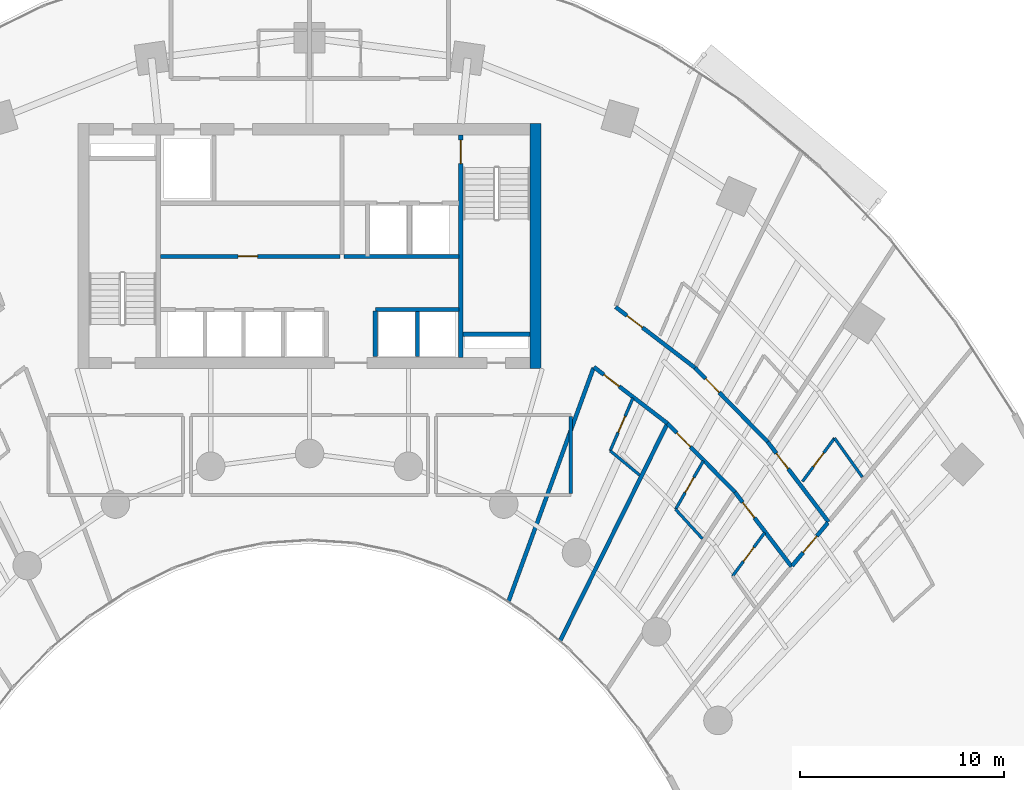
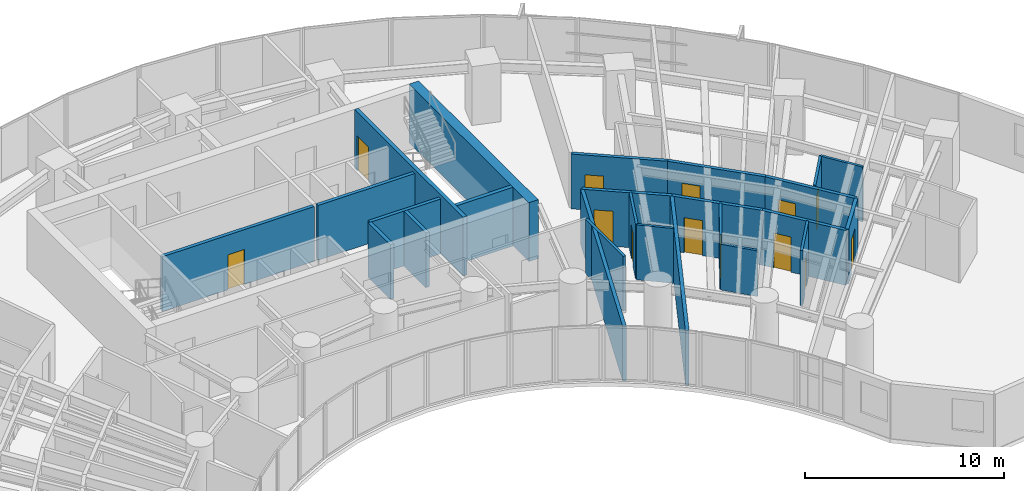
# One storey, part 13 of 18: 25 walls, 13 doors, 13 openings.
"""IFC4 building model written with IfcOpenShell, lengths in metres."""

from ifc_helpers import new_model, si_unit, direction, frame, frame_2d, origin, place, context, subcontext, project, spatial, rectangle, extrude, source, transform, mapped, material, layer, layer_set, type_object, type_shapes, element, fill, save


model = new_model("IFC4")

# Units and contexts
model_context = context("Model", 3, precision=1e-05, world=origin(), true_north=direction((0.0, 1.0)))
body_context = subcontext(model_context, "Body", "Model", "MODEL_VIEW")
ifc_project = project(units=[si_unit("LENGTHUNIT", "METRE"), si_unit("AREAUNIT", "SQUARE_METRE"), si_unit("VOLUMEUNIT", "CUBIC_METRE"), si_unit("PLANEANGLEUNIT", "RADIAN"), si_unit("MASSUNIT", "GRAM", prefix="KILO")], contexts=[model_context])

# Site, building, storey
site_placement = place(None, origin())
site = spatial("IfcSite", under=ifc_project, at=site_placement, CompositionType="ELEMENT")
building_placement = place(site_placement, origin())
building = spatial("IfcBuilding", under=site, at=building_placement, Name="Breltana Convention Tower", CompositionType="ELEMENT")
storey_placement = place(building_placement, frame((0.0, 0.0, 39.0)))
storey = spatial("IfcBuildingStorey", under=building, at=storey_placement, Name="L07", CompositionType="ELEMENT", Elevation=39.0)

# Walls
ifc_material_1 = material(Name="Concrete C60/75", Category="concrete")
ifc_layer_1 = layer(ifc_material_1, 0.550048828125, Name="Concrete C60/75")
ifc_layer_set_1 = layer_set([ifc_layer_1], Name="Concrete C60/75")
wall_type_1 = type_object("IfcWallType", Name="SW-CORE-550", PredefinedType="SHEAR", material=ifc_layer_set_1)
shared_shape_1 = source(origin(), body_context, "Body", "SweptSolid", [
    extrude(rectangle(XDim=12.0, YDim=0.550048828125, at=frame_2d((6.0, 0.0))), origin(), (0.0, 0.0, 1.0), 3.60009765625),
])
wall_1_placement = place(storey_placement, frame((59.074951171875, 60.199951171875, 0.0), z_axis=(0.0, 0.0, 1.0), x_axis=(0.0, 1.0, 0.0)))
element("IfcWall", 1, at=wall_1_placement, inside=storey, type_object=wall_type_1, Name="L07 East Core Shear Wall", PredefinedType="SHEAR", context=body_context, shape_type="MappedRepresentation", body=[
    mapped(shared_shape_1, transform((0.0, 0.0, 0.0), scale=1.0)),
])
ifc_material_2 = material(Name="Concrete C50/60", Category="concrete")
ifc_layer_2 = layer(ifc_material_2, 0.39990234375, Name="Concrete C50/60")
ifc_layer_set_2 = layer_set([ifc_layer_2], Name="Concrete C50/60")
wall_type_2 = type_object("IfcWallType", Name="SW-CORE-400", PredefinedType="SHEAR", material=ifc_layer_set_2)
shared_shape_2 = source(origin(), body_context, "Body", "SweptSolid", [
    extrude(rectangle(XDim=3.27001953125, YDim=0.219970703125, at=frame_2d((1.635009765625, 0.0))), origin(), (0.0, 0.0, 1.0), 3.60009765625),
])
wall_2_placement = place(storey_placement, frame((55.530029296875, 61.889892578125, 0.0), z_axis=(0.0, 0.0, 1.0), x_axis=(1.0, 0.0, 0.0)))
element("IfcWall", 2, at=wall_2_placement, inside=storey, type_object=wall_type_2, Name="L07 ST-2 Stairwell South Bearing Wall", PredefinedType="SHEAR", context=body_context, shape_type="MappedRepresentation", body=[
    mapped(shared_shape_2, transform((0.0, 0.0, 0.0), scale=1.0)),
])

# Wall, opening, door
shared_shape_3 = source(origin(), body_context, "Body", "SweptSolid", [
    extrude(rectangle(XDim=10.89990234375, YDim=0.219970703125, at=frame_2d((5.449951171875, 0.0))), origin(), (0.0, 0.0, 1.0), 3.60009765625),
])
wall_3_placement = place(storey_placement, frame((55.419921875, 60.75, 0.0), z_axis=(0.0, 0.0, 1.0), x_axis=(0.0, 1.0, 0.0)))
wall_3 = element("IfcWall", 3, at=wall_3_placement, inside=storey, type_object=wall_type_2, Name="L07 Core East Stair Spine Wall", PredefinedType="SHEAR", context=body_context, shape_type="MappedRepresentation", body=[
    mapped(shared_shape_3, transform((0.0, 0.0, 0.0), scale=1.0)),
])
opening_1_placement = place(wall_3_placement, frame((9.4951171875, 0.0, 0.0)))
opening_1 = element("IfcOpeningElement", 4, at=opening_1_placement, cuts=wall_3, Name="Opening D-11", PredefinedType="OPENING", context=body_context, shape_type="SweptSolid", body=[
    extrude(rectangle(XDim=1.14990234375, YDim=2.14990234375, at=frame_2d((0.574951171875, 1.074951171875))), frame((0.0, 0.1201171875, 0.0), z_axis=(0.0, -1.0, 0.0), x_axis=(1.0, 0.0, 0.0)), (0.0, 0.0, 1.0), 0.239990234375),
])
ifc_material_3 = material(Name="Steel Stair Exit Door", Category="steel")
door_type_1 = type_object("IfcDoorType", Name="DR-FD120-1150", OperationType="NOTDEFINED", PredefinedType="DOOR", material=ifc_material_3)
shared_shape_4 = source(origin(), body_context, "Body", "SweptSolid", [
    extrude(rectangle(XDim=1.14990234375, YDim=2.14990234375, at=frame_2d((0.574951171875, 1.074951171875))), frame((0.0, 0.02490234375, 0.0), z_axis=(0.0, -1.0, 0.0), x_axis=(1.0, 0.0, 0.0)), (0.0, 0.0, 1.0), 0.050048828125),
])
type_shapes(door_type_1, [shared_shape_4])
door_1_placement = place(opening_1_placement, origin())
door_1 = element("IfcDoor", 5, at=door_1_placement, inside=storey, type_object=door_type_1, Name="L07 interior door D-L07-ST2", OperationType="SINGLE_SWING_LEFT", OverallHeight=2.14990234375, OverallWidth=1.14990234375, PredefinedType="DOOR", context=body_context, shape_type="MappedRepresentation", body=[
    mapped(shared_shape_4, transform((0.0, 0.0, 0.0), scale=1.0)),
])
fill(opening_1, door_1)

# Walls
ifc_material_4 = material(Name="Autoclaved Aerated Concrete Block", Category="concrete")
ifc_layer_3 = layer(ifc_material_4, 0.199951171875, Name="Autoclaved Aerated Concrete Block")
ifc_layer_set_3 = layer_set([ifc_layer_3], Name="Autoclaved Aerated Concrete Block")
wall_type_3 = type_object("IfcWallType", Name="WL-SHAFT-200", PredefinedType="SOLIDWALL", material=ifc_layer_set_3)
shared_shape_5 = source(origin(), body_context, "Body", "SweptSolid", [
    extrude(rectangle(XDim=2.239990234375, YDim=0.199951171875, at=frame_2d((1.1201171875, 0.0))), origin(), (0.0, 0.0, 1.0), 3.360107421875),
])
wall_4_placement = place(storey_placement, frame((51.219970703125, 60.780029296875, 0.0), z_axis=(0.0, 0.0, 1.0), x_axis=(0.0, 1.0, 0.0)))
element("IfcWall", 6, at=wall_4_placement, inside=storey, type_object=wall_type_3, Name="L07 interior partition W-L07-PORT-E", PredefinedType="SOLIDWALL", context=body_context, shape_type="MappedRepresentation", body=[
    mapped(shared_shape_5, transform((0.0, 0.0, 0.0), scale=1.0)),
])
shared_shape_6 = source(origin(), body_context, "Body", "SweptSolid", [
    extrude(rectangle(XDim=5.6201171875, YDim=0.199951171875, at=frame_2d((2.81005859375, 0.0))), origin(), (0.0, 0.0, 1.0), 3.360107421875),
])
wall_5_placement = place(storey_placement, frame((49.699951171875, 65.679931640625, 0.0), z_axis=(0.0, 0.0, 1.0), x_axis=(1.0, 0.0, 0.0)))
element("IfcWall", 7, at=wall_5_placement, inside=storey, type_object=wall_type_3, Name="L07 interior partition W-L07-FL-S", PredefinedType="SOLIDWALL", context=body_context, shape_type="MappedRepresentation", body=[
    mapped(shared_shape_6, transform((0.0, 0.0, 0.0), scale=1.0)),
])

# Wall, opening, door
shared_shape_7 = source(origin(), body_context, "Body", "SweptSolid", [
    extrude(rectangle(XDim=8.800048828125, YDim=0.199951171875, at=frame_2d((4.39990234375, 0.0))), origin(), (0.0, 0.0, 1.0), 3.360107421875),
])
wall_6_placement = place(storey_placement, frame((40.699951171875, 65.699951171875, 0.0), z_axis=(0.0, 0.0, 1.0), x_axis=(1.0, 0.0, 0.0)))
wall_6 = element("IfcWall", 8, at=wall_6_placement, inside=storey, type_object=wall_type_3, Name="L07 interior partition W-L07-SH-M-FRONT", PredefinedType="SOLIDWALL", context=body_context, shape_type="MappedRepresentation", body=[
    mapped(shared_shape_7, transform((0.0, 0.0, 0.0), scale=1.0)),
])
opening_2_placement = place(wall_6_placement, frame((3.800048828125, 0.0, 0.0)))
opening_2 = element("IfcOpeningElement", 9, at=opening_2_placement, cuts=wall_6, Name="Opening D-14", PredefinedType="OPENING", context=body_context, shape_type="SweptSolid", body=[
    extrude(rectangle(XDim=0.949951171875, YDim=2.14990234375, at=frame_2d((0.47509765625, 1.074951171875))), frame((0.0, 0.10986328125, 0.0), z_axis=(0.0, -1.0, 0.0), x_axis=(1.0, 0.0, 0.0)), (0.0, 0.0, 1.0), 0.219970703125),
])
ifc_material_5 = material(Name="Timber Solid-Core Fire Door", Category="wood")
door_type_2 = type_object("IfcDoorType", Name="DR-FD60-950", OperationType="NOTDEFINED", PredefinedType="DOOR", material=ifc_material_5)
shared_shape_8 = source(origin(), body_context, "Body", "SweptSolid", [
    extrude(rectangle(XDim=0.949951171875, YDim=2.14990234375, at=frame_2d((0.47509765625, 1.074951171875))), frame((0.0, 0.02490234375, 0.0), z_axis=(0.0, -1.0, 0.0), x_axis=(1.0, 0.0, 0.0)), (0.0, 0.0, 1.0), 0.050048828125),
])
type_shapes(door_type_2, [shared_shape_8])
door_2_placement = place(opening_2_placement, origin())
door_2 = element("IfcDoor", 10, at=door_2_placement, inside=storey, type_object=door_type_2, Name="L07 interior door D-L07-LV7-B2A", OperationType="SINGLE_SWING_RIGHT", OverallHeight=2.14990234375, OverallWidth=0.949951171875, PredefinedType="DOOR", context=body_context, shape_type="MappedRepresentation", body=[
    mapped(shared_shape_8, transform((0.0, 0.0, 0.0), scale=1.0)),
])
fill(opening_2, door_2)

# Walls
shared_shape_9 = source(origin(), body_context, "Body", "SweptSolid", [
    extrude(rectangle(XDim=4.10009765625, YDim=0.199951171875, at=frame_2d((2.050048828125, 0.0))), origin(), (0.0, 0.0, 1.0), 3.360107421875),
])
wall_7_placement = place(storey_placement, frame((51.219970703125, 63.10009765625, 0.0), z_axis=(0.0, 0.0, 1.0), x_axis=(1.0, 0.0, 0.0)))
element("IfcWall", 11, at=wall_7_placement, inside=storey, type_object=wall_type_3, Name="L07 interior partition W-L07-SH-X-FRONT", PredefinedType="SOLIDWALL", context=body_context, shape_type="MappedRepresentation", body=[
    mapped(shared_shape_9, transform((0.0, 0.0, 0.0), scale=1.0)),
])
shared_shape_10 = source(origin(), body_context, "Body", "SweptSolid", [
    extrude(rectangle(XDim=2.199951171875, YDim=0.199951171875, at=frame_2d((1.10009765625, 0.0))), origin(), (0.0, 0.0, 1.0), 3.360107421875),
])
wall_8_placement = place(storey_placement, frame((53.280029296875, 60.800048828125, 0.0), z_axis=(0.0, 0.0, 1.0), x_axis=(0.0, 1.0, 0.0)))
element("IfcWall", 12, at=wall_8_placement, inside=storey, type_object=wall_type_3, Name="L07 interior partition W-L07-SH-X-DIV", PredefinedType="SOLIDWALL", context=body_context, shape_type="MappedRepresentation", body=[
    mapped(shared_shape_10, transform((0.0, 0.0, 0.0), scale=1.0)),
])
ifc_material_6 = material(Name="Gypsum Acoustic Drywall Partition")
ifc_layer_4 = layer(ifc_material_6, 0.14990234375, Name="Gypsum Acoustic Drywall Partition")
ifc_layer_set_4 = layer_set([ifc_layer_4], Name="Gypsum Acoustic Drywall Partition")
wall_type_4 = type_object("IfcWallType", Name="WL-PART-150", PredefinedType="PARTITIONING", material=ifc_layer_set_4)
shared_shape_11 = source(origin(), body_context, "Body", "SweptSolid", [
    extrude(rectangle(XDim=3.78515625, YDim=0.14990234375, at=frame_2d((1.892578125, 0.0))), origin(), (0.0, 0.0, 1.0), 3.360107421875),
])
wall_9_placement = place(storey_placement, frame((60.800048828125, 54.0673828125, 0.0), z_axis=(0.0, 0.0, 1.0), x_axis=(0.0, 1.0, 0.0)))
element("IfcWall", 13, at=wall_9_placement, inside=storey, type_object=wall_type_4, Name="L07 interior partition W-L07-HMT-E", PredefinedType="PARTITIONING", context=body_context, shape_type="MappedRepresentation", body=[
    mapped(shared_shape_11, transform((0.0, 0.0, 0.0), scale=1.0)),
])

# Wall, opening, door
ifc_material_7 = material(Name="Gypsum Acoustic Hotel Wall")
ifc_layer_5 = layer(ifc_material_7, 0.195068359375, Name="Gypsum Acoustic Hotel Wall")
ifc_layer_set_5 = layer_set([ifc_layer_5], Name="Gypsum Acoustic Hotel Wall")
wall_type_5 = type_object("IfcWallType", Name="WL-HOTEL-200", PredefinedType="PARTITIONING", material=ifc_layer_set_5)
shared_shape_12 = source(origin(), body_context, "Body", "SweptSolid", [
    extrude(rectangle(XDim=4.927734375, YDim=0.195068359375, at=frame_2d((2.4638671875, 0.0))), origin(), (0.0, 0.0, 1.0), 3.360107421875),
])
wall_10_placement = place(storey_placement, frame((70.4501953125, 56.607177734375, 0.0), z_axis=(0.0, 0.0, 1.0), x_axis=(0.604793043708, -0.796382680803, 0.0)))
wall_10 = element("IfcWall", 14, at=wall_10_placement, inside=storey, type_object=wall_type_5, Name="L07 interior partition W-L07-HK11-COR", PredefinedType="PARTITIONING", context=body_context, shape_type="MappedRepresentation", body=[
    mapped(shared_shape_12, transform((0.0, 0.0, 0.0), scale=1.0)),
])
opening_3_placement = place(wall_10_placement, frame((0.70751953125, 0.0, 0.0)))
opening_3 = element("IfcOpeningElement", 15, at=opening_3_placement, cuts=wall_10, Name="Opening D-14", PredefinedType="OPENING", context=body_context, shape_type="SweptSolid", body=[
    extrude(rectangle(XDim=0.949951171875, YDim=2.14990234375, at=frame_2d((0.47509765625, 1.074951171875))), frame((0.0, 0.107421875, 0.0), z_axis=(0.0, -1.0, 0.0), x_axis=(1.0, 0.0, 0.0)), (0.0, 0.0, 1.0), 0.215087890625),
])
door_3_placement = place(opening_3_placement, origin())
door_3 = element("IfcDoor", 16, at=door_3_placement, inside=storey, type_object=door_type_2, Name="L07 interior door D-L07-HK11", OperationType="SINGLE_SWING_RIGHT", OverallHeight=2.14990234375, OverallWidth=0.949951171875, PredefinedType="DOOR", context=body_context, shape_type="MappedRepresentation", body=[
    mapped(shared_shape_8, transform((0.0, 0.0, 0.0), scale=1.0)),
])
fill(opening_3, door_3)

# Wall
ifc_material_8 = material(Name="Moisture-Resistant En-Suite Partition")
ifc_layer_6 = layer(ifc_material_8, 0.139892578125, Name="Moisture-Resistant En-Suite Partition")
ifc_layer_set_6 = layer_set([ifc_layer_6], Name="Moisture-Resistant En-Suite Partition")
wall_type_6 = type_object("IfcWallType", Name="WL-WET-150", PredefinedType="PARTITIONING", material=ifc_layer_set_6)
shared_shape_13 = source(origin(), body_context, "Body", "SweptSolid", [
    extrude(rectangle(XDim=2.33740234375, YDim=0.139892578125, at=frame_2d((1.168701171875, 0.0))), origin(), (0.0, 0.0, 1.0), 3.360107421875),
])
wall_11_placement = place(storey_placement, frame((73.727294921875, 56.788818359375, 0.0), z_axis=(0.0, 0.0, 1.0), x_axis=(0.580862665959, -0.814001574504, 0.0)))
element("IfcWall", 17, at=wall_11_placement, inside=storey, type_object=wall_type_6, Name="L07 interior partition W-L07-HK11E-BK", PredefinedType="PARTITIONING", context=body_context, shape_type="MappedRepresentation", body=[
    mapped(shared_shape_13, transform((0.0, 0.0, 0.0), scale=1.0)),
])

# Wall, opening, door
shared_shape_14 = source(origin(), body_context, "Body", "SweptSolid", [
    extrude(rectangle(XDim=2.639892578125, YDim=0.139892578125, at=frame_2d((1.31982421875, 0.0))), origin(), (0.0, 0.0, 1.0), 3.360107421875),
])
wall_12_placement = place(storey_placement, frame((72.157470703125, 54.666259765625, 0.0), z_axis=(0.0, 0.0, 1.0), x_axis=(0.594630255283, 0.803999290735, 0.0)))
wall_12 = element("IfcWall", 18, at=wall_12_placement, inside=storey, type_object=wall_type_6, Name="L07 interior partition W-L07-HK11E-SD", PredefinedType="PARTITIONING", context=body_context, shape_type="MappedRepresentation", body=[
    mapped(shared_shape_14, transform((0.0, 0.0, 0.0), scale=1.0)),
])
opening_4_placement = place(wall_12_placement, frame((0.89501953125, 0.0, 0.0)))
opening_4 = element("IfcOpeningElement", 19, at=opening_4_placement, cuts=wall_12, Name="Opening D-21", PredefinedType="OPENING", context=body_context, shape_type="SweptSolid", body=[
    extrude(rectangle(XDim=0.85009765625, YDim=2.050048828125, at=frame_2d((0.425048828125, 1.02490234375))), frame((0.0, 0.080078125, 0.0), z_axis=(0.0, -1.0, 0.0), x_axis=(1.0, 0.0, 0.0)), (0.0, 0.0, 1.0), 0.159912109375),
])
ifc_material_9 = material(Name="Timber Moisture-Resistant En-Suite Door", Category="wood")
door_type_3 = type_object("IfcDoorType", Name="DR-WET-850", OperationType="NOTDEFINED", PredefinedType="DOOR", material=ifc_material_9)
shared_shape_15 = source(origin(), body_context, "Body", "SweptSolid", [
    extrude(rectangle(XDim=0.85009765625, YDim=2.050048828125, at=frame_2d((0.425048828125, 1.02490234375))), frame((0.0, 0.02490234375, 0.0), z_axis=(0.0, -1.0, 0.0), x_axis=(1.0, 0.0, 0.0)), (0.0, 0.0, 1.0), 0.050048828125),
])
type_shapes(door_type_3, [shared_shape_15])
door_4_placement = place(opening_4_placement, origin())
door_4 = element("IfcDoor", 20, at=door_4_placement, inside=storey, type_object=door_type_3, Name="L07 interior door D-L07-HK11E", OperationType="SINGLE_SWING_LEFT", OverallHeight=2.050048828125, OverallWidth=0.85009765625, PredefinedType="DOOR", context=body_context, shape_type="MappedRepresentation", body=[
    mapped(shared_shape_15, transform((0.0, 0.0, 0.0), scale=1.0)),
])
fill(opening_4, door_4)

wall_13_placement = place(storey_placement, frame((68.7294921875, 50.031005859375, 0.0), z_axis=(0.0, 0.0, 1.0), x_axis=(0.594674469522, 0.803966588422, 0.0)))
wall_13 = element("IfcWall", 21, at=wall_13_placement, inside=storey, type_object=wall_type_6, Name="L07 interior partition W-L07-HK12E-SD", PredefinedType="PARTITIONING", context=body_context, shape_type="MappedRepresentation", body=[
    mapped(shared_shape_14, transform((0.0, 0.0, 0.0), scale=1.0)),
])
opening_5_placement = place(wall_13_placement, frame((0.89501953125, 0.0, 0.0)))
opening_5 = element("IfcOpeningElement", 22, at=opening_5_placement, cuts=wall_13, Name="Opening D-21", PredefinedType="OPENING", context=body_context, shape_type="SweptSolid", body=[
    extrude(rectangle(XDim=0.85009765625, YDim=2.050048828125, at=frame_2d((0.425048828125, 1.02490234375))), frame((0.0, 0.080078125, 0.0), z_axis=(0.0, -1.0, 0.0), x_axis=(1.0, 0.0, 0.0)), (0.0, 0.0, 1.0), 0.159912109375),
])
door_5_placement = place(opening_5_placement, origin())
door_5 = element("IfcDoor", 23, at=door_5_placement, inside=storey, type_object=door_type_3, Name="L07 interior door D-L07-HK12E", OperationType="SINGLE_SWING_LEFT", OverallHeight=2.050048828125, OverallWidth=0.85009765625, PredefinedType="DOOR", context=body_context, shape_type="MappedRepresentation", body=[
    mapped(shared_shape_15, transform((0.0, 0.0, 0.0), scale=1.0)),
])
fill(opening_5, door_5)

shared_shape_16 = source(origin(), body_context, "Body", "SweptSolid", [
    extrude(rectangle(XDim=4.576171875, YDim=0.195068359375, at=frame_2d((2.2880859375, 0.0))), origin(), (0.0, 0.0, 1.0), 3.360107421875),
])
wall_14_placement = place(storey_placement, frame((68.849609375, 54.139404296875, 0.0), z_axis=(0.0, 0.0, 1.0), x_axis=(0.604795096156, -0.796381122118, 0.0)))
wall_14 = element("IfcWall", 24, at=wall_14_placement, inside=storey, type_object=wall_type_5, Name="L07 interior partition W-L07-HK12-COR", PredefinedType="PARTITIONING", context=body_context, shape_type="MappedRepresentation", body=[
    mapped(shared_shape_16, transform((0.0, 0.0, 0.0), scale=1.0)),
])
opening_6_placement = place(wall_14_placement, frame((0.623291015625, 0.0, 0.0)))
opening_6 = element("IfcOpeningElement", 25, at=opening_6_placement, cuts=wall_14, Name="Opening D-14", PredefinedType="OPENING", context=body_context, shape_type="SweptSolid", body=[
    extrude(rectangle(XDim=0.949951171875, YDim=2.14990234375, at=frame_2d((0.47509765625, 1.074951171875))), frame((0.0, 0.107421875, 0.0), z_axis=(0.0, -1.0, 0.0), x_axis=(1.0, 0.0, 0.0)), (0.0, 0.0, 1.0), 0.215087890625),
])
door_6_placement = place(opening_6_placement, origin())
door_6 = element("IfcDoor", 26, at=door_6_placement, inside=storey, type_object=door_type_2, Name="L07 interior door D-L07-HK12", OperationType="SINGLE_SWING_RIGHT", OverallHeight=2.14990234375, OverallWidth=0.949951171875, PredefinedType="DOOR", context=body_context, shape_type="MappedRepresentation", body=[
    mapped(shared_shape_8, transform((0.0, 0.0, 0.0), scale=1.0)),
])
fill(opening_6, door_6)

shared_shape_17 = source(origin(), body_context, "Body", "SweptSolid", [
    extrude(rectangle(XDim=5.0869140625, YDim=0.195068359375, at=frame_2d((2.54345703125, 0.0))), origin(), (0.0, 0.0, 1.0), 3.360107421875),
])
wall_15_placement = place(storey_placement, frame((66.88720703125, 60.23779296875, 0.0), z_axis=(0.0, 0.0, 1.0), x_axis=(0.700428330775, -0.7137227427, 0.0)))
wall_15 = element("IfcWall", 27, at=wall_15_placement, inside=storey, type_object=wall_type_5, Name="L07 interior partition W-L07-HK09-COR", PredefinedType="PARTITIONING", context=body_context, shape_type="MappedRepresentation", body=[
    mapped(shared_shape_17, transform((0.0, 0.0, 0.0), scale=1.0)),
])
opening_7_placement = place(wall_15_placement, frame((0.745849609375, 0.0, 0.0)))
opening_7 = element("IfcOpeningElement", 28, at=opening_7_placement, cuts=wall_15, Name="Opening D-14", PredefinedType="OPENING", context=body_context, shape_type="SweptSolid", body=[
    extrude(rectangle(XDim=0.949951171875, YDim=2.14990234375, at=frame_2d((0.47509765625, 1.074951171875))), frame((0.0, 0.107421875, 0.0), z_axis=(0.0, -1.0, 0.0), x_axis=(1.0, 0.0, 0.0)), (0.0, 0.0, 1.0), 0.215087890625),
])
door_7_placement = place(opening_7_placement, origin())
door_7 = element("IfcDoor", 29, at=door_7_placement, inside=storey, type_object=door_type_2, Name="L07 interior door D-L07-HK09", OperationType="SINGLE_SWING_RIGHT", OverallHeight=2.14990234375, OverallWidth=0.949951171875, PredefinedType="DOOR", context=body_context, shape_type="MappedRepresentation", body=[
    mapped(shared_shape_8, transform((0.0, 0.0, 0.0), scale=1.0)),
])
fill(opening_7, door_7)

shared_shape_18 = source(origin(), body_context, "Body", "SweptSolid", [
    extrude(rectangle(XDim=4.724365234375, YDim=0.195068359375, at=frame_2d((2.3623046875, 0.0))), origin(), (0.0, 0.0, 1.0), 3.360107421875),
])
wall_16_placement = place(storey_placement, frame((65.54052734375, 57.51123046875, 0.0), z_axis=(0.0, 0.0, 1.0), x_axis=(0.700435057457, -0.713716141253, 0.0)))
wall_16 = element("IfcWall", 30, at=wall_16_placement, inside=storey, type_object=wall_type_5, Name="L07 interior partition W-L07-HK10-COR", PredefinedType="PARTITIONING", context=body_context, shape_type="MappedRepresentation", body=[
    mapped(shared_shape_18, transform((0.0, 0.0, 0.0), scale=1.0)),
])
opening_8_placement = place(wall_16_placement, frame((0.65869140625, 0.0, 0.0)))
opening_8 = element("IfcOpeningElement", 31, at=opening_8_placement, cuts=wall_16, Name="Opening D-14", PredefinedType="OPENING", context=body_context, shape_type="SweptSolid", body=[
    extrude(rectangle(XDim=0.949951171875, YDim=2.14990234375, at=frame_2d((0.47509765625, 1.074951171875))), frame((0.0, 0.107421875, 0.0), z_axis=(0.0, -1.0, 0.0), x_axis=(1.0, 0.0, 0.0)), (0.0, 0.0, 1.0), 0.215087890625),
])
door_8_placement = place(opening_8_placement, origin())
door_8 = element("IfcDoor", 32, at=door_8_placement, inside=storey, type_object=door_type_2, Name="L07 interior door D-L07-HK10", OperationType="SINGLE_SWING_RIGHT", OverallHeight=2.14990234375, OverallWidth=0.949951171875, PredefinedType="DOOR", context=body_context, shape_type="MappedRepresentation", body=[
    mapped(shared_shape_8, transform((0.0, 0.0, 0.0), scale=1.0)),
])
fill(opening_8, door_8)

shared_shape_19 = source(origin(), body_context, "Body", "SweptSolid", [
    extrude(rectangle(XDim=2.7314453125, YDim=0.139892578125, at=frame_2d((1.36572265625, 0.0))), origin(), (0.0, 0.0, 1.0), 3.360107421875),
])
wall_17_placement = place(storey_placement, frame((65.936279296875, 53.2998046875, 0.0), z_axis=(0.0, 0.0, 1.0), x_axis=(0.497120404056, 0.867681568244, 0.0)))
wall_17 = element("IfcWall", 33, at=wall_17_placement, inside=storey, type_object=wall_type_6, Name="L07 interior partition W-L07-HK10E-SD", PredefinedType="PARTITIONING", context=body_context, shape_type="MappedRepresentation", body=[
    mapped(shared_shape_19, transform((0.0, 0.0, 0.0), scale=1.0)),
])
opening_9_placement = place(wall_17_placement, frame((0.94091796875, 0.0, 0.0)))
opening_9 = element("IfcOpeningElement", 34, at=opening_9_placement, cuts=wall_17, Name="Opening D-21", PredefinedType="OPENING", context=body_context, shape_type="SweptSolid", body=[
    extrude(rectangle(XDim=0.85009765625, YDim=2.050048828125, at=frame_2d((0.425048828125, 1.02490234375))), frame((0.0, 0.080078125, 0.0), z_axis=(0.0, -1.0, 0.0), x_axis=(1.0, 0.0, 0.0)), (0.0, 0.0, 1.0), 0.159912109375),
])
door_9_placement = place(opening_9_placement, origin())
door_9 = element("IfcDoor", 35, at=door_9_placement, inside=storey, type_object=door_type_3, Name="L07 interior door D-L07-HK10E", OperationType="SINGLE_SWING_LEFT", OverallHeight=2.050048828125, OverallWidth=0.85009765625, PredefinedType="DOOR", context=body_context, shape_type="MappedRepresentation", body=[
    mapped(shared_shape_15, transform((0.0, 0.0, 0.0), scale=1.0)),
])
fill(opening_9, door_9)

shared_shape_20 = source(origin(), body_context, "Body", "SweptSolid", [
    extrude(rectangle(XDim=4.894775390625, YDim=0.195068359375, at=frame_2d((2.447265625, 0.0))), origin(), (0.0, 0.0, 1.0), 3.360107421875),
])
wall_18_placement = place(storey_placement, frame((63.001220703125, 63.214111328125, 0.0), z_axis=(0.0, 0.0, 1.0), x_axis=(0.793896075849, -0.608053468661, 0.0)))
wall_18 = element("IfcWall", 36, at=wall_18_placement, inside=storey, type_object=wall_type_5, Name="L07 interior partition W-L07-HK07-COR", PredefinedType="PARTITIONING", context=body_context, shape_type="MappedRepresentation", body=[
    mapped(shared_shape_20, transform((0.0, 0.0, 0.0), scale=1.0)),
])
opening_10_placement = place(wall_18_placement, frame((0.69970703125, 0.0, 0.0)))
opening_10 = element("IfcOpeningElement", 37, at=opening_10_placement, cuts=wall_18, Name="Opening D-14", PredefinedType="OPENING", context=body_context, shape_type="SweptSolid", body=[
    extrude(rectangle(XDim=0.949951171875, YDim=2.14990234375, at=frame_2d((0.47509765625, 1.074951171875))), frame((0.0, 0.107421875, 0.0), z_axis=(0.0, -1.0, 0.0), x_axis=(1.0, 0.0, 0.0)), (0.0, 0.0, 1.0), 0.215087890625),
])
door_10_placement = place(opening_10_placement, origin())
door_10 = element("IfcDoor", 38, at=door_10_placement, inside=storey, type_object=door_type_2, Name="L07 interior door D-L07-HK07", OperationType="SINGLE_SWING_RIGHT", OverallHeight=2.14990234375, OverallWidth=0.949951171875, PredefinedType="DOOR", context=body_context, shape_type="MappedRepresentation", body=[
    mapped(shared_shape_8, transform((0.0, 0.0, 0.0), scale=1.0)),
])
fill(opening_10, door_10)

shared_shape_21 = source(origin(), body_context, "Body", "SweptSolid", [
    extrude(rectangle(XDim=4.546142578125, YDim=0.195068359375, at=frame_2d((2.27294921875, 0.0))), origin(), (0.0, 0.0, 1.0), 3.360107421875),
])
wall_19_placement = place(storey_placement, frame((61.931396484375, 60.275390625, 0.0), z_axis=(0.0, 0.0, 1.0), x_axis=(0.793907931297, -0.608037989457, 0.0)))
wall_19 = element("IfcWall", 39, at=wall_19_placement, inside=storey, type_object=wall_type_5, Name="L07 interior partition W-L07-HK08-COR", PredefinedType="PARTITIONING", context=body_context, shape_type="MappedRepresentation", body=[
    mapped(shared_shape_21, transform((0.0, 0.0, 0.0), scale=1.0)),
])
opening_11_placement = place(wall_19_placement, frame((0.6162109375, 0.0, 0.0)))
opening_11 = element("IfcOpeningElement", 40, at=opening_11_placement, cuts=wall_19, Name="Opening D-14", PredefinedType="OPENING", context=body_context, shape_type="SweptSolid", body=[
    extrude(rectangle(XDim=0.949951171875, YDim=2.14990234375, at=frame_2d((0.47509765625, 1.074951171875))), frame((0.0, 0.107421875, 0.0), z_axis=(0.0, -1.0, 0.0), x_axis=(1.0, 0.0, 0.0)), (0.0, 0.0, 1.0), 0.215087890625),
])
door_11_placement = place(opening_11_placement, origin())
door_11 = element("IfcDoor", 41, at=door_11_placement, inside=storey, type_object=door_type_2, Name="L07 interior door D-L07-HK08", OperationType="SINGLE_SWING_RIGHT", OverallHeight=2.14990234375, OverallWidth=0.949951171875, PredefinedType="DOOR", context=body_context, shape_type="MappedRepresentation", body=[
    mapped(shared_shape_8, transform((0.0, 0.0, 0.0), scale=1.0)),
])
fill(opening_11, door_11)

# Walls
shared_shape_22 = source(origin(), body_context, "Body", "SweptSolid", [
    extrude(rectangle(XDim=12.1962890625, YDim=0.195068359375, at=frame_2d((6.09814453125, 0.0))), origin(), (0.0, 0.0, 1.0), 3.360107421875),
])
wall_20_placement = place(storey_placement, frame((57.742431640625, 48.766357421875, 0.0), z_axis=(0.0, 0.0, 1.0), x_axis=(0.342022711534, 0.939691686031, 0.0)))
element("IfcWall", 42, at=wall_20_placement, inside=storey, type_object=wall_type_5, Name="L07 interior partition W-L07-HK08-RA", PredefinedType="PARTITIONING", context=body_context, shape_type="MappedRepresentation", body=[
    mapped(shared_shape_22, transform((0.0, 0.0, 0.0), scale=1.0)),
])
shared_shape_23 = source(origin(), body_context, "Body", "SweptSolid", [
    extrude(rectangle(XDim=1.872802734375, YDim=0.139892578125, at=frame_2d((0.9365234375, 0.0))), origin(), (0.0, 0.0, 1.0), 3.360107421875),
])
wall_21_placement = place(storey_placement, frame((62.73388671875, 56.169189453125, 0.0), z_axis=(0.0, 0.0, 1.0), x_axis=(0.77069451688, -0.637204803537, 0.0)))
element("IfcWall", 43, at=wall_21_placement, inside=storey, type_object=wall_type_6, Name="L07 interior partition W-L07-HK08E-BK", PredefinedType="PARTITIONING", context=body_context, shape_type="MappedRepresentation", body=[
    mapped(shared_shape_23, transform((0.0, 0.0, 0.0), scale=1.0)),
])

# Wall, opening, door
shared_shape_24 = source(origin(), body_context, "Body", "SweptSolid", [
    extrude(rectangle(XDim=2.8173828125, YDim=0.139892578125, at=frame_2d((1.40869140625, 0.0))), origin(), (0.0, 0.0, 1.0), 3.360107421875),
])
wall_22_placement = place(storey_placement, frame((62.73388671875, 56.169189453125, 0.0), z_axis=(0.0, 0.0, 1.0), x_axis=(0.395999429727, 0.918250756415, 0.0)))
wall_22 = element("IfcWall", 44, at=wall_22_placement, inside=storey, type_object=wall_type_6, Name="L07 interior partition W-L07-HK08E-SD", PredefinedType="PARTITIONING", context=body_context, shape_type="MappedRepresentation", body=[
    mapped(shared_shape_24, transform((0.0, 0.0, 0.0), scale=1.0)),
])
opening_12_placement = place(wall_22_placement, frame((0.98388671875, 0.0, 0.0)))
opening_12 = element("IfcOpeningElement", 45, at=opening_12_placement, cuts=wall_22, Name="Opening D-21", PredefinedType="OPENING", context=body_context, shape_type="SweptSolid", body=[
    extrude(rectangle(XDim=0.85009765625, YDim=2.050048828125, at=frame_2d((0.425048828125, 1.02490234375))), frame((0.0, 0.080078125, 0.0), z_axis=(0.0, -1.0, 0.0), x_axis=(1.0, 0.0, 0.0)), (0.0, 0.0, 1.0), 0.159912109375),
])
door_12_placement = place(opening_12_placement, origin())
door_12 = element("IfcDoor", 46, at=door_12_placement, inside=storey, type_object=door_type_3, Name="L07 interior door D-L07-HK08E", OperationType="SINGLE_SWING_LEFT", OverallHeight=2.050048828125, OverallWidth=0.85009765625, PredefinedType="DOOR", context=body_context, shape_type="MappedRepresentation", body=[
    mapped(shared_shape_15, transform((0.0, 0.0, 0.0), scale=1.0)),
])
fill(opening_12, door_12)

# Wall
shared_shape_25 = source(origin(), body_context, "Body", "SweptSolid", [
    extrude(rectangle(XDim=11.843505859375, YDim=0.195068359375, at=frame_2d((5.921875, 0.0))), origin(), (0.0, 0.0, 1.0), 3.360107421875),
])
wall_23_placement = place(storey_placement, frame((60.2734375, 46.847900390625, 0.0), z_axis=(0.0, 0.0, 1.0), x_axis=(0.442871152218, 0.896585267854, 0.0)))
element("IfcWall", 47, at=wall_23_placement, inside=storey, type_object=wall_type_5, Name="L07 interior partition W-L07-HK08-RB", PredefinedType="PARTITIONING", context=body_context, shape_type="MappedRepresentation", body=[
    mapped(shared_shape_25, transform((0.0, 0.0, 0.0), scale=1.0)),
])

# Wall, opening, door
shared_shape_26 = source(origin(), body_context, "Body", "SweptSolid", [
    extrude(rectangle(XDim=2.748291015625, YDim=0.195068359375, at=frame_2d((1.3740234375, 0.0))), origin(), (0.0, 0.0, 1.0), 3.360107421875),
])
wall_24_placement = place(storey_placement, frame((71.64697265625, 50.531005859375, 0.0), z_axis=(0.0, 0.0, 1.0), x_axis=(0.638111168284, 0.769944242729, 0.0)))
wall_24 = element("IfcWall", 48, at=wall_24_placement, inside=storey, type_object=wall_type_5, Name="L07 interior partition W-L07-CS-E-END", PredefinedType="PARTITIONING", context=body_context, shape_type="MappedRepresentation", body=[
    mapped(shared_shape_26, transform((0.0, 0.0, 0.0), scale=1.0)),
])
opening_13_placement = place(wall_24_placement, frame((0.84912109375, 0.0, 0.0)))
opening_13 = element("IfcOpeningElement", 49, at=opening_13_placement, cuts=wall_24, Name="Opening D-13", PredefinedType="OPENING", context=body_context, shape_type="SweptSolid", body=[
    extrude(rectangle(XDim=1.050048828125, YDim=2.14990234375, at=frame_2d((0.52490234375, 1.074951171875))), frame((0.0, 0.107421875, 0.0), z_axis=(0.0, -1.0, 0.0), x_axis=(1.0, 0.0, 0.0)), (0.0, 0.0, 1.0), 0.215087890625),
])
door_type_4 = type_object("IfcDoorType", Name="DR-FD60-1050", OperationType="NOTDEFINED", PredefinedType="DOOR", material=ifc_material_5)
shared_shape_27 = source(origin(), body_context, "Body", "SweptSolid", [
    extrude(rectangle(XDim=1.050048828125, YDim=2.14990234375, at=frame_2d((0.52490234375, 1.074951171875))), frame((0.0, 0.02490234375, 0.0), z_axis=(0.0, -1.0, 0.0), x_axis=(1.0, 0.0, 0.0)), (0.0, 0.0, 1.0), 0.050048828125),
])
type_shapes(door_type_4, [shared_shape_27])
door_13_placement = place(opening_13_placement, origin())
door_13 = element("IfcDoor", 50, at=door_13_placement, inside=storey, type_object=door_type_4, Name="L07 interior door D-L07-CS-E", OperationType="SINGLE_SWING_RIGHT", OverallHeight=2.14990234375, OverallWidth=1.050048828125, PredefinedType="DOOR", context=body_context, shape_type="MappedRepresentation", body=[
    mapped(shared_shape_27, transform((0.0, 0.0, 0.0), scale=1.0)),
])
fill(opening_13, door_13)

# Wall
shared_shape_28 = source(origin(), body_context, "Body", "SweptSolid", [
    extrude(rectangle(XDim=1.946533203125, YDim=0.139892578125, at=frame_2d((0.97314453125, 0.0))), origin(), (0.0, 0.0, 1.0), 2.802978515625),
])
wall_25_placement = place(storey_placement, frame((65.936279296875, 53.2998046875, 0.0), z_axis=(0.0, 0.0, 1.0), x_axis=(0.675383794012, -0.737466426888, 0.0)))
element("IfcWall", 51, at=wall_25_placement, inside=storey, type_object=wall_type_6, Name="L07 interior partition W-L07-HK10E-BK", PredefinedType="PARTITIONING", context=body_context, shape_type="MappedRepresentation", body=[
    mapped(shared_shape_28, transform((0.0, 0.0, 0.0), scale=1.0)),
])

save(model, "model.ifc")
